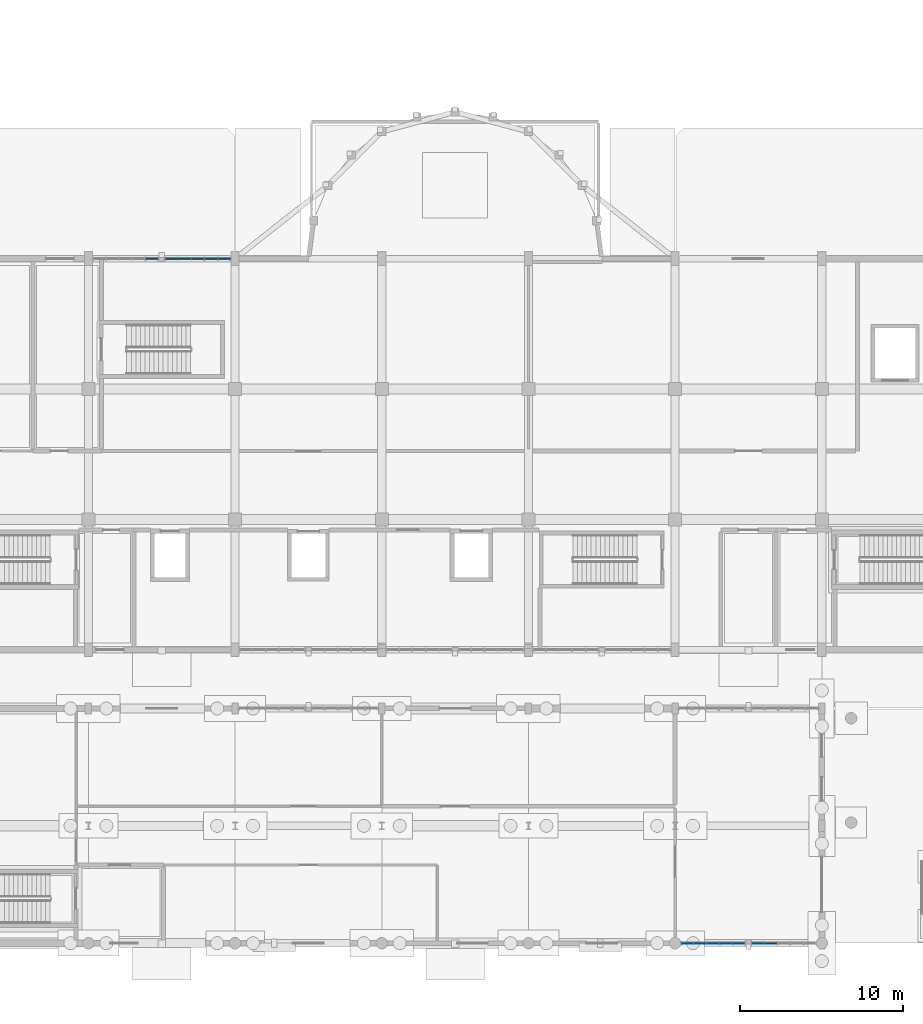
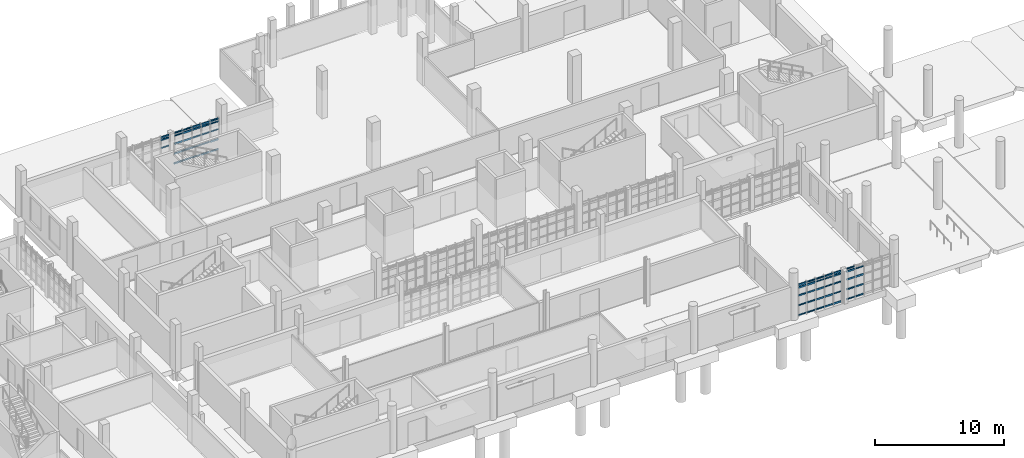
# One storey, part 26 of 63: 62 members, 4 elements without a shape of their own.
"""IFC4 building model written with IfcOpenShell, lengths in metres."""

from ifc_helpers import new_model, si_unit, direction, frame, origin, origin_2d, place, context, subcontext, project, spatial, rectangle, extrude, material, material_profile, profile_set, type_object, element, aggregate, save


model = new_model("IFC4")

# Units and contexts
model_context = context("Model", 3, precision=1e-05, world=origin(), true_north=direction((0.0, 1.0)))
body_context = subcontext(model_context, "Body", "Model", "MODEL_VIEW")
ifc_project = project(units=[si_unit("LENGTHUNIT", "METRE"), si_unit("AREAUNIT", "SQUARE_METRE"), si_unit("VOLUMEUNIT", "CUBIC_METRE"), si_unit("PLANEANGLEUNIT", "RADIAN"), si_unit("MASSUNIT", "GRAM", prefix="KILO")], contexts=[model_context])

# Site, building, storey
site_placement = place(None, origin())
site = spatial("IfcSite", under=ifc_project, at=site_placement, CompositionType="ELEMENT")
building_placement = place(site_placement, origin())
building = spatial("IfcBuilding", under=site, at=building_placement, Name="Serraforn Aerial Cableway Station", CompositionType="ELEMENT")
storey_placement = place(building_placement, origin())
storey = spatial("IfcBuildingStorey", under=building, at=storey_placement, Name="L00", CompositionType="ELEMENT", Elevation=0.0)

# Curtain wall, members
ifc_material_1 = material(Name="Anodised bronze unitised curtain wall")
curtain_wall_type_1 = type_object("IfcCurtainWallType", Name="CW-SYS-21", PredefinedType="USERDEFINED", material=ifc_material_1)
curtain_wall_1_placement = place(storey_placement, origin())
curtain_wall_1 = element("IfcCurtainWall", 1, at=curtain_wall_1_placement, inside=storey, type_object=curtain_wall_type_1, Name="Unitised Curtain Wall CW-CF-L00-S6A", ObjectType="UNITISED CURTAIN WALL", PredefinedType="USERDEFINED")
ifc_material_2 = material(Name="Anodised bronze extruded aluminium", Category="aluminium")
ifc_material_profile_1 = material_profile(ifc_material_2, rectangle(XDim=0.054931640625, YDim=0.110107421875, at=origin_2d()), Name="CW TRANSOM 55x110")
ifc_profile_set_1 = profile_set([ifc_material_profile_1], Name="Anodised bronze extruded aluminium")
member_type_1 = type_object("IfcMemberType", Name="CW-TRN-1", PredefinedType="USERDEFINED", material=ifc_profile_set_1)
member_1_placement = place(storey_placement, frame((73.02099609375, 0.0, 0.124755859375), z_axis=(1.0, 0.0, 0.0), x_axis=(0.0, 1.0, 0.0)))
member_1 = element("IfcMember", 2, at=member_1_placement, type_object=member_type_1, Name="Curtain Wall Transom CW-CF-L00-S6A-T1-1", ObjectType="TRANSOM", PredefinedType="USERDEFINED", context=body_context, shape_type="SweptSolid", body=[
    extrude(rectangle(XDim=0.054931640625, YDim=0.110107421875, at=origin_2d()), origin(), (0.0, 0.0, 1.0), 0.69580078125),
])
member_2_placement = place(storey_placement, frame((73.767822265625, 0.0, 2.9951171875), z_axis=(1.0, 0.0, 0.0), x_axis=(0.0, 1.0, 0.0)))
member_2 = element("IfcMember", 3, at=member_2_placement, type_object=member_type_1, Name="Curtain Wall Transom CW-CF-L00-S6A-T2-5", ObjectType="TRANSOM", PredefinedType="USERDEFINED", context=body_context, shape_type="SweptSolid", body=[
    extrude(rectangle(XDim=0.054931640625, YDim=0.110107421875, at=origin_2d()), origin(), (0.0, 0.0, 1.0), 0.740966796875),
])
member_3_placement = place(storey_placement, frame((74.564697265625, 0.0, 2.74560546875), z_axis=(1.0, 0.0, 0.0), x_axis=(0.0, 1.0, 0.0)))
member_3 = element("IfcMember", 4, at=member_3_placement, type_object=member_type_1, Name="Curtain Wall Transom CW-CF-L00-S6A-T3-4", ObjectType="TRANSOM", PredefinedType="USERDEFINED", context=body_context, shape_type="SweptSolid", body=[
    extrude(rectangle(XDim=0.054931640625, YDim=0.110107421875, at=origin_2d()), origin(), (0.0, 0.0, 1.0), 0.736083984375),
])
member_4_placement = place(storey_placement, frame((75.36181640625, 0.0, 1.996826171875), z_axis=(1.0, 0.0, 0.0), x_axis=(0.0, 1.0, 0.0)))
member_4 = element("IfcMember", 5, at=member_4_placement, type_object=member_type_1, Name="Curtain Wall Transom CW-CF-L00-S6A-T4-3", ObjectType="TRANSOM", PredefinedType="USERDEFINED", context=body_context, shape_type="SweptSolid", body=[
    extrude(rectangle(XDim=0.054931640625, YDim=0.110107421875, at=origin_2d()), origin(), (0.0, 0.0, 1.0), 0.730712890625),
])
member_5_placement = place(storey_placement, frame((76.15869140625, 0.0, 1.060791015625), z_axis=(1.0, 0.0, 0.0), x_axis=(0.0, 1.0, 0.0)))
member_5 = element("IfcMember", 6, at=member_5_placement, type_object=member_type_1, Name="Curtain Wall Transom CW-CF-L00-S6A-T5-2", ObjectType="TRANSOM", PredefinedType="USERDEFINED", context=body_context, shape_type="SweptSolid", body=[
    extrude(rectangle(XDim=0.054931640625, YDim=0.110107421875, at=origin_2d()), origin(), (0.0, 0.0, 1.0), 0.688232421875),
])

curtain_wall_type_2 = type_object("IfcCurtainWallType", Name="CW-SYS-22", PredefinedType="USERDEFINED", material=ifc_material_1)
curtain_wall_2_placement = place(storey_placement, origin())
curtain_wall_2 = element("IfcCurtainWall", 7, at=curtain_wall_2_placement, inside=storey, type_object=curtain_wall_type_2, Name="Unitised Curtain Wall CW-CF-L00-S6B", ObjectType="UNITISED CURTAIN WALL", PredefinedType="USERDEFINED")
member_6_placement = place(storey_placement, frame((77.3330078125, 0.0, 2.9951171875), z_axis=(1.0, 0.0, 0.0), x_axis=(0.0, 1.0, 0.0)))
member_6 = element("IfcMember", 8, at=member_6_placement, type_object=member_type_1, Name="Curtain Wall Transom CW-CF-L00-S6B-T1-5", ObjectType="TRANSOM", PredefinedType="USERDEFINED", context=body_context, shape_type="SweptSolid", body=[
    extrude(rectangle(XDim=0.054931640625, YDim=0.110107421875, at=origin_2d()), origin(), (0.0, 0.0, 1.0), 0.71337890625),
])
member_7_placement = place(storey_placement, frame((78.102294921875, 0.0, 2.74560546875), z_axis=(1.0, 0.0, 0.0), x_axis=(0.0, 1.0, 0.0)))
member_7 = element("IfcMember", 9, at=member_7_placement, type_object=member_type_1, Name="Curtain Wall Transom CW-CF-L00-S6B-T2-4", ObjectType="TRANSOM", PredefinedType="USERDEFINED", context=body_context, shape_type="SweptSolid", body=[
    extrude(rectangle(XDim=0.054931640625, YDim=0.110107421875, at=origin_2d()), origin(), (0.0, 0.0, 1.0), 0.736083984375),
])

curtain_wall_type_3 = type_object("IfcCurtainWallType", Name="CW-SYS-1", PredefinedType="USERDEFINED", material=ifc_material_1)
curtain_wall_3_placement = place(storey_placement, origin())
curtain_wall_3 = element("IfcCurtainWall", 10, at=curtain_wall_3_placement, inside=storey, type_object=curtain_wall_type_3, Name="Unitised Curtain Wall CW-CV-L00-N2A", ObjectType="UNITISED CURTAIN WALL", PredefinedType="USERDEFINED")
member_8_placement = place(storey_placement, frame((45.2890625, 42.0, 1.996826171875), z_axis=(-1.0, 0.0, 0.0), x_axis=(0.0, -1.0, 0.0)))
member_8 = element("IfcMember", 11, at=member_8_placement, type_object=member_type_1, Name="Curtain Wall Transom CW-CV-L00-N2A-T1-3", ObjectType="TRANSOM", PredefinedType="USERDEFINED", context=body_context, shape_type="SweptSolid", body=[
    extrude(rectangle(XDim=0.054931640625, YDim=0.110107421875, at=origin_2d()), origin(), (0.0, 0.0, 1.0), 0.718505859375),
])
member_9_placement = place(storey_placement, frame((44.504638671875, 42.0, 1.060791015625), z_axis=(-1.0, 0.0, 0.0), x_axis=(0.0, -1.0, 0.0)))
member_9 = element("IfcMember", 12, at=member_9_placement, type_object=member_type_1, Name="Curtain Wall Transom CW-CV-L00-N2A-T2-2", ObjectType="TRANSOM", PredefinedType="USERDEFINED", context=body_context, shape_type="SweptSolid", body=[
    extrude(rectangle(XDim=0.054931640625, YDim=0.110107421875, at=origin_2d()), origin(), (0.0, 0.0, 1.0), 0.745849609375),
])
member_10_placement = place(storey_placement, frame((43.687744140625, 42.0, 0.124755859375), z_axis=(-1.0, 0.0, 0.0), x_axis=(0.0, -1.0, 0.0)))
member_10 = element("IfcMember", 13, at=member_10_placement, type_object=member_type_1, Name="Curtain Wall Transom CW-CV-L00-N2A-T3-1", ObjectType="TRANSOM", PredefinedType="USERDEFINED", context=body_context, shape_type="SweptSolid", body=[
    extrude(rectangle(XDim=0.054931640625, YDim=0.110107421875, at=origin_2d()), origin(), (0.0, 0.0, 1.0), 0.75341796875),
])
member_11_placement = place(storey_placement, frame((42.88330078125, 42.0, 2.9951171875), z_axis=(-1.0, 0.0, 0.0), x_axis=(0.0, -1.0, 0.0)))
member_11 = element("IfcMember", 14, at=member_11_placement, type_object=member_type_1, Name="Curtain Wall Transom CW-CV-L00-N2A-T4-5", ObjectType="TRANSOM", PredefinedType="USERDEFINED", context=body_context, shape_type="SweptSolid", body=[
    extrude(rectangle(XDim=0.054931640625, YDim=0.110107421875, at=origin_2d()), origin(), (0.0, 0.0, 1.0), 0.760986328125),
])
member_12_placement = place(storey_placement, frame((42.06640625, 42.0, 2.74560546875), z_axis=(-1.0, 0.0, 0.0), x_axis=(0.0, -1.0, 0.0)))
member_12 = element("IfcMember", 15, at=member_12_placement, type_object=member_type_1, Name="Curtain Wall Transom CW-CV-L00-N2A-T5-4", ObjectType="TRANSOM", PredefinedType="USERDEFINED", context=body_context, shape_type="SweptSolid", body=[
    extrude(rectangle(XDim=0.054931640625, YDim=0.110107421875, at=origin_2d()), origin(), (0.0, 0.0, 1.0), 0.723388671875),
])

# Member
ifc_material_profile_2 = material_profile(ifc_material_2, rectangle(XDim=0.06005859375, YDim=0.1201171875, at=origin_2d()), Name="CW TRANSOM 60x120")
ifc_profile_set_2 = profile_set([ifc_material_profile_2], Name="Anodised bronze extruded aluminium")
member_type_2 = type_object("IfcMemberType", Name="CW-TRN-2", PredefinedType="USERDEFINED", material=ifc_profile_set_2)
member_13_placement = place(storey_placement, frame((73.02099609375, 0.0, 1.060791015625), z_axis=(1.0, 0.0, 0.0), x_axis=(0.0, 1.0, 0.0)))
member_13 = element("IfcMember", 16, at=member_13_placement, type_object=member_type_2, Name="Curtain Wall Transom CW-CF-L00-S6A-T1-2", ObjectType="TRANSOM", PredefinedType="USERDEFINED", context=body_context, shape_type="SweptSolid", body=[
    extrude(rectangle(XDim=0.06005859375, YDim=0.1201171875, at=origin_2d()), origin(), (0.0, 0.0, 1.0), 0.69580078125),
])

member_14_placement = place(storey_placement, frame((73.767822265625, 0.0, 0.124755859375), z_axis=(1.0, 0.0, 0.0), x_axis=(0.0, 1.0, 0.0)))
member_14 = element("IfcMember", 17, at=member_14_placement, type_object=member_type_2, Name="Curtain Wall Transom CW-CF-L00-S6A-T2-1", ObjectType="TRANSOM", PredefinedType="USERDEFINED", context=body_context, shape_type="SweptSolid", body=[
    extrude(rectangle(XDim=0.06005859375, YDim=0.1201171875, at=origin_2d()), origin(), (0.0, 0.0, 1.0), 0.740966796875),
])

member_15_placement = place(storey_placement, frame((74.564697265625, 0.0, 2.9951171875), z_axis=(1.0, 0.0, 0.0), x_axis=(0.0, 1.0, 0.0)))
member_15 = element("IfcMember", 18, at=member_15_placement, type_object=member_type_2, Name="Curtain Wall Transom CW-CF-L00-S6A-T3-5", ObjectType="TRANSOM", PredefinedType="USERDEFINED", context=body_context, shape_type="SweptSolid", body=[
    extrude(rectangle(XDim=0.06005859375, YDim=0.1201171875, at=origin_2d()), origin(), (0.0, 0.0, 1.0), 0.736083984375),
])

member_16_placement = place(storey_placement, frame((75.36181640625, 0.0, 2.74560546875), z_axis=(1.0, 0.0, 0.0), x_axis=(0.0, 1.0, 0.0)))
member_16 = element("IfcMember", 19, at=member_16_placement, type_object=member_type_2, Name="Curtain Wall Transom CW-CF-L00-S6A-T4-4", ObjectType="TRANSOM", PredefinedType="USERDEFINED", context=body_context, shape_type="SweptSolid", body=[
    extrude(rectangle(XDim=0.06005859375, YDim=0.1201171875, at=origin_2d()), origin(), (0.0, 0.0, 1.0), 0.730712890625),
])

member_17_placement = place(storey_placement, frame((76.15869140625, 0.0, 1.996826171875), z_axis=(1.0, 0.0, 0.0), x_axis=(0.0, 1.0, 0.0)))
member_17 = element("IfcMember", 20, at=member_17_placement, type_object=member_type_2, Name="Curtain Wall Transom CW-CF-L00-S6A-T5-3", ObjectType="TRANSOM", PredefinedType="USERDEFINED", context=body_context, shape_type="SweptSolid", body=[
    extrude(rectangle(XDim=0.06005859375, YDim=0.1201171875, at=origin_2d()), origin(), (0.0, 0.0, 1.0), 0.688232421875),
])

member_18_placement = place(storey_placement, frame((77.3330078125, 0.0, 0.124755859375), z_axis=(1.0, 0.0, 0.0), x_axis=(0.0, 1.0, 0.0)))
member_18 = element("IfcMember", 21, at=member_18_placement, type_object=member_type_2, Name="Curtain Wall Transom CW-CF-L00-S6B-T1-1", ObjectType="TRANSOM", PredefinedType="USERDEFINED", context=body_context, shape_type="SweptSolid", body=[
    extrude(rectangle(XDim=0.06005859375, YDim=0.1201171875, at=origin_2d()), origin(), (0.0, 0.0, 1.0), 0.71337890625),
])

member_19_placement = place(storey_placement, frame((45.2890625, 42.0, 2.74560546875), z_axis=(-1.0, 0.0, 0.0), x_axis=(0.0, -1.0, 0.0)))
member_19 = element("IfcMember", 22, at=member_19_placement, type_object=member_type_2, Name="Curtain Wall Transom CW-CV-L00-N2A-T1-4", ObjectType="TRANSOM", PredefinedType="USERDEFINED", context=body_context, shape_type="SweptSolid", body=[
    extrude(rectangle(XDim=0.06005859375, YDim=0.1201171875, at=origin_2d()), origin(), (0.0, 0.0, 1.0), 0.718505859375),
])

member_20_placement = place(storey_placement, frame((44.504638671875, 42.0, 1.996826171875), z_axis=(-1.0, 0.0, 0.0), x_axis=(0.0, -1.0, 0.0)))
member_20 = element("IfcMember", 23, at=member_20_placement, type_object=member_type_2, Name="Curtain Wall Transom CW-CV-L00-N2A-T2-3", ObjectType="TRANSOM", PredefinedType="USERDEFINED", context=body_context, shape_type="SweptSolid", body=[
    extrude(rectangle(XDim=0.06005859375, YDim=0.1201171875, at=origin_2d()), origin(), (0.0, 0.0, 1.0), 0.745849609375),
])

member_21_placement = place(storey_placement, frame((43.687744140625, 42.0, 1.060791015625), z_axis=(-1.0, 0.0, 0.0), x_axis=(0.0, -1.0, 0.0)))
member_21 = element("IfcMember", 24, at=member_21_placement, type_object=member_type_2, Name="Curtain Wall Transom CW-CV-L00-N2A-T3-2", ObjectType="TRANSOM", PredefinedType="USERDEFINED", context=body_context, shape_type="SweptSolid", body=[
    extrude(rectangle(XDim=0.06005859375, YDim=0.1201171875, at=origin_2d()), origin(), (0.0, 0.0, 1.0), 0.75341796875),
])

member_22_placement = place(storey_placement, frame((42.88330078125, 42.0, 0.124755859375), z_axis=(-1.0, 0.0, 0.0), x_axis=(0.0, -1.0, 0.0)))
member_22 = element("IfcMember", 25, at=member_22_placement, type_object=member_type_2, Name="Curtain Wall Transom CW-CV-L00-N2A-T4-1", ObjectType="TRANSOM", PredefinedType="USERDEFINED", context=body_context, shape_type="SweptSolid", body=[
    extrude(rectangle(XDim=0.06005859375, YDim=0.1201171875, at=origin_2d()), origin(), (0.0, 0.0, 1.0), 0.760986328125),
])

member_23_placement = place(storey_placement, frame((42.06640625, 42.0, 2.9951171875), z_axis=(-1.0, 0.0, 0.0), x_axis=(0.0, -1.0, 0.0)))
member_23 = element("IfcMember", 26, at=member_23_placement, type_object=member_type_2, Name="Curtain Wall Transom CW-CV-L00-N2A-T5-5", ObjectType="TRANSOM", PredefinedType="USERDEFINED", context=body_context, shape_type="SweptSolid", body=[
    extrude(rectangle(XDim=0.06005859375, YDim=0.1201171875, at=origin_2d()), origin(), (0.0, 0.0, 1.0), 0.723388671875),
])

# Curtain wall, member
curtain_wall_type_4 = type_object("IfcCurtainWallType", Name="CW-SYS-2", PredefinedType="USERDEFINED", material=ifc_material_1)
curtain_wall_4_placement = place(storey_placement, origin())
curtain_wall_4 = element("IfcCurtainWall", 27, at=curtain_wall_4_placement, inside=storey, type_object=curtain_wall_type_4, Name="Unitised Curtain Wall CW-CV-L00-N2B", ObjectType="UNITISED CURTAIN WALL", PredefinedType="USERDEFINED")
member_24_placement = place(storey_placement, frame((40.85205078125, 42.0, 1.996826171875), z_axis=(-1.0, 0.0, 0.0), x_axis=(0.0, -1.0, 0.0)))
member_24 = element("IfcMember", 28, at=member_24_placement, type_object=member_type_2, Name="Curtain Wall Transom CW-CV-L00-N2B-T1-3", ObjectType="TRANSOM", PredefinedType="USERDEFINED", context=body_context, shape_type="SweptSolid", body=[
    extrude(rectangle(XDim=0.06005859375, YDim=0.1201171875, at=origin_2d()), origin(), (0.0, 0.0, 1.0), 0.7109375),
])

# Member
ifc_material_profile_3 = material_profile(ifc_material_2, rectangle(XDim=0.06494140625, YDim=0.135009765625, at=origin_2d()), Name="CW TRANSOM 65x135")
ifc_profile_set_3 = profile_set([ifc_material_profile_3], Name="Anodised bronze extruded aluminium")
member_type_3 = type_object("IfcMemberType", Name="CW-TRN-3", PredefinedType="USERDEFINED", material=ifc_profile_set_3)
member_25_placement = place(storey_placement, frame((73.02099609375, 0.0, 1.996826171875), z_axis=(1.0, 0.0, 0.0), x_axis=(0.0, 1.0, 0.0)))
member_25 = element("IfcMember", 29, at=member_25_placement, type_object=member_type_3, Name="Curtain Wall Transom CW-CF-L00-S6A-T1-3", ObjectType="TRANSOM", PredefinedType="USERDEFINED", context=body_context, shape_type="SweptSolid", body=[
    extrude(rectangle(XDim=0.06494140625, YDim=0.135009765625, at=origin_2d()), origin(), (0.0, 0.0, 1.0), 0.69580078125),
])

member_26_placement = place(storey_placement, frame((73.767822265625, 0.0, 1.060791015625), z_axis=(1.0, 0.0, 0.0), x_axis=(0.0, 1.0, 0.0)))
member_26 = element("IfcMember", 30, at=member_26_placement, type_object=member_type_3, Name="Curtain Wall Transom CW-CF-L00-S6A-T2-2", ObjectType="TRANSOM", PredefinedType="USERDEFINED", context=body_context, shape_type="SweptSolid", body=[
    extrude(rectangle(XDim=0.06494140625, YDim=0.135009765625, at=origin_2d()), origin(), (0.0, 0.0, 1.0), 0.740966796875),
])

member_27_placement = place(storey_placement, frame((74.564697265625, 0.0, 0.124755859375), z_axis=(1.0, 0.0, 0.0), x_axis=(0.0, 1.0, 0.0)))
member_27 = element("IfcMember", 31, at=member_27_placement, type_object=member_type_3, Name="Curtain Wall Transom CW-CF-L00-S6A-T3-1", ObjectType="TRANSOM", PredefinedType="USERDEFINED", context=body_context, shape_type="SweptSolid", body=[
    extrude(rectangle(XDim=0.06494140625, YDim=0.135009765625, at=origin_2d()), origin(), (0.0, 0.0, 1.0), 0.736083984375),
])

member_28_placement = place(storey_placement, frame((75.36181640625, 0.0, 2.9951171875), z_axis=(1.0, 0.0, 0.0), x_axis=(0.0, 1.0, 0.0)))
member_28 = element("IfcMember", 32, at=member_28_placement, type_object=member_type_3, Name="Curtain Wall Transom CW-CF-L00-S6A-T4-5", ObjectType="TRANSOM", PredefinedType="USERDEFINED", context=body_context, shape_type="SweptSolid", body=[
    extrude(rectangle(XDim=0.06494140625, YDim=0.135009765625, at=origin_2d()), origin(), (0.0, 0.0, 1.0), 0.730712890625),
])

member_29_placement = place(storey_placement, frame((76.15869140625, 0.0, 2.74560546875), z_axis=(1.0, 0.0, 0.0), x_axis=(0.0, 1.0, 0.0)))
member_29 = element("IfcMember", 33, at=member_29_placement, type_object=member_type_3, Name="Curtain Wall Transom CW-CF-L00-S6A-T5-4", ObjectType="TRANSOM", PredefinedType="USERDEFINED", context=body_context, shape_type="SweptSolid", body=[
    extrude(rectangle(XDim=0.06494140625, YDim=0.135009765625, at=origin_2d()), origin(), (0.0, 0.0, 1.0), 0.688232421875),
])

member_30_placement = place(storey_placement, frame((77.3330078125, 0.0, 1.060791015625), z_axis=(1.0, 0.0, 0.0), x_axis=(0.0, 1.0, 0.0)))
member_30 = element("IfcMember", 34, at=member_30_placement, type_object=member_type_3, Name="Curtain Wall Transom CW-CF-L00-S6B-T1-2", ObjectType="TRANSOM", PredefinedType="USERDEFINED", context=body_context, shape_type="SweptSolid", body=[
    extrude(rectangle(XDim=0.06494140625, YDim=0.135009765625, at=origin_2d()), origin(), (0.0, 0.0, 1.0), 0.71337890625),
])

member_31_placement = place(storey_placement, frame((78.102294921875, 0.0, 0.124755859375), z_axis=(1.0, 0.0, 0.0), x_axis=(0.0, 1.0, 0.0)))
member_31 = element("IfcMember", 35, at=member_31_placement, type_object=member_type_3, Name="Curtain Wall Transom CW-CF-L00-S6B-T2-1", ObjectType="TRANSOM", PredefinedType="USERDEFINED", context=body_context, shape_type="SweptSolid", body=[
    extrude(rectangle(XDim=0.06494140625, YDim=0.135009765625, at=origin_2d()), origin(), (0.0, 0.0, 1.0), 0.736083984375),
])

member_32_placement = place(storey_placement, frame((45.2890625, 42.0, 2.9951171875), z_axis=(-1.0, 0.0, 0.0), x_axis=(0.0, -1.0, 0.0)))
member_32 = element("IfcMember", 36, at=member_32_placement, type_object=member_type_3, Name="Curtain Wall Transom CW-CV-L00-N2A-T1-5", ObjectType="TRANSOM", PredefinedType="USERDEFINED", context=body_context, shape_type="SweptSolid", body=[
    extrude(rectangle(XDim=0.06494140625, YDim=0.135009765625, at=origin_2d()), origin(), (0.0, 0.0, 1.0), 0.718505859375),
])

member_33_placement = place(storey_placement, frame((44.504638671875, 42.0, 2.74560546875), z_axis=(-1.0, 0.0, 0.0), x_axis=(0.0, -1.0, 0.0)))
member_33 = element("IfcMember", 37, at=member_33_placement, type_object=member_type_3, Name="Curtain Wall Transom CW-CV-L00-N2A-T2-4", ObjectType="TRANSOM", PredefinedType="USERDEFINED", context=body_context, shape_type="SweptSolid", body=[
    extrude(rectangle(XDim=0.06494140625, YDim=0.135009765625, at=origin_2d()), origin(), (0.0, 0.0, 1.0), 0.745849609375),
])

member_34_placement = place(storey_placement, frame((43.687744140625, 42.0, 1.996826171875), z_axis=(-1.0, 0.0, 0.0), x_axis=(0.0, -1.0, 0.0)))
member_34 = element("IfcMember", 38, at=member_34_placement, type_object=member_type_3, Name="Curtain Wall Transom CW-CV-L00-N2A-T3-3", ObjectType="TRANSOM", PredefinedType="USERDEFINED", context=body_context, shape_type="SweptSolid", body=[
    extrude(rectangle(XDim=0.06494140625, YDim=0.135009765625, at=origin_2d()), origin(), (0.0, 0.0, 1.0), 0.75341796875),
])

member_35_placement = place(storey_placement, frame((42.88330078125, 42.0, 1.060791015625), z_axis=(-1.0, 0.0, 0.0), x_axis=(0.0, -1.0, 0.0)))
member_35 = element("IfcMember", 39, at=member_35_placement, type_object=member_type_3, Name="Curtain Wall Transom CW-CV-L00-N2A-T4-2", ObjectType="TRANSOM", PredefinedType="USERDEFINED", context=body_context, shape_type="SweptSolid", body=[
    extrude(rectangle(XDim=0.06494140625, YDim=0.135009765625, at=origin_2d()), origin(), (0.0, 0.0, 1.0), 0.760986328125),
])

member_36_placement = place(storey_placement, frame((42.06640625, 42.0, 0.124755859375), z_axis=(-1.0, 0.0, 0.0), x_axis=(0.0, -1.0, 0.0)))
member_36 = element("IfcMember", 40, at=member_36_placement, type_object=member_type_3, Name="Curtain Wall Transom CW-CV-L00-N2A-T5-1", ObjectType="TRANSOM", PredefinedType="USERDEFINED", context=body_context, shape_type="SweptSolid", body=[
    extrude(rectangle(XDim=0.06494140625, YDim=0.135009765625, at=origin_2d()), origin(), (0.0, 0.0, 1.0), 0.723388671875),
])

member_37_placement = place(storey_placement, frame((40.85205078125, 42.0, 2.74560546875), z_axis=(-1.0, 0.0, 0.0), x_axis=(0.0, -1.0, 0.0)))
member_37 = element("IfcMember", 41, at=member_37_placement, type_object=member_type_3, Name="Curtain Wall Transom CW-CV-L00-N2B-T1-4", ObjectType="TRANSOM", PredefinedType="USERDEFINED", context=body_context, shape_type="SweptSolid", body=[
    extrude(rectangle(XDim=0.06494140625, YDim=0.135009765625, at=origin_2d()), origin(), (0.0, 0.0, 1.0), 0.7109375),
])

ifc_material_profile_4 = material_profile(ifc_material_2, rectangle(XDim=0.070068359375, YDim=0.14990234375, at=origin_2d()), Name="CW TRANSOM 70x150")
ifc_profile_set_4 = profile_set([ifc_material_profile_4], Name="Anodised bronze extruded aluminium")
member_type_4 = type_object("IfcMemberType", Name="CW-TRN-4", PredefinedType="USERDEFINED", material=ifc_profile_set_4)
member_38_placement = place(storey_placement, frame((73.02099609375, 0.0, 2.74560546875), z_axis=(1.0, 0.0, 0.0), x_axis=(0.0, 1.0, 0.0)))
member_38 = element("IfcMember", 42, at=member_38_placement, type_object=member_type_4, Name="Curtain Wall Transom CW-CF-L00-S6A-T1-4", ObjectType="TRANSOM", PredefinedType="USERDEFINED", context=body_context, shape_type="SweptSolid", body=[
    extrude(rectangle(XDim=0.070068359375, YDim=0.14990234375, at=origin_2d()), origin(), (0.0, 0.0, 1.0), 0.69580078125),
])

member_39_placement = place(storey_placement, frame((73.767822265625, 0.0, 1.996826171875), z_axis=(1.0, 0.0, 0.0), x_axis=(0.0, 1.0, 0.0)))
member_39 = element("IfcMember", 43, at=member_39_placement, type_object=member_type_4, Name="Curtain Wall Transom CW-CF-L00-S6A-T2-3", ObjectType="TRANSOM", PredefinedType="USERDEFINED", context=body_context, shape_type="SweptSolid", body=[
    extrude(rectangle(XDim=0.070068359375, YDim=0.14990234375, at=origin_2d()), origin(), (0.0, 0.0, 1.0), 0.740966796875),
])

member_40_placement = place(storey_placement, frame((74.564697265625, 0.0, 1.060791015625), z_axis=(1.0, 0.0, 0.0), x_axis=(0.0, 1.0, 0.0)))
member_40 = element("IfcMember", 44, at=member_40_placement, type_object=member_type_4, Name="Curtain Wall Transom CW-CF-L00-S6A-T3-2", ObjectType="TRANSOM", PredefinedType="USERDEFINED", context=body_context, shape_type="SweptSolid", body=[
    extrude(rectangle(XDim=0.070068359375, YDim=0.14990234375, at=origin_2d()), origin(), (0.0, 0.0, 1.0), 0.736083984375),
])

member_41_placement = place(storey_placement, frame((75.36181640625, 0.0, 0.124755859375), z_axis=(1.0, 0.0, 0.0), x_axis=(0.0, 1.0, 0.0)))
member_41 = element("IfcMember", 45, at=member_41_placement, type_object=member_type_4, Name="Curtain Wall Transom CW-CF-L00-S6A-T4-1", ObjectType="TRANSOM", PredefinedType="USERDEFINED", context=body_context, shape_type="SweptSolid", body=[
    extrude(rectangle(XDim=0.070068359375, YDim=0.14990234375, at=origin_2d()), origin(), (0.0, 0.0, 1.0), 0.730712890625),
])

member_42_placement = place(storey_placement, frame((76.15869140625, 0.0, 2.9951171875), z_axis=(1.0, 0.0, 0.0), x_axis=(0.0, 1.0, 0.0)))
member_42 = element("IfcMember", 46, at=member_42_placement, type_object=member_type_4, Name="Curtain Wall Transom CW-CF-L00-S6A-T5-5", ObjectType="TRANSOM", PredefinedType="USERDEFINED", context=body_context, shape_type="SweptSolid", body=[
    extrude(rectangle(XDim=0.070068359375, YDim=0.14990234375, at=origin_2d()), origin(), (0.0, 0.0, 1.0), 0.688232421875),
])

member_43_placement = place(storey_placement, frame((77.3330078125, 0.0, 1.996826171875), z_axis=(1.0, 0.0, 0.0), x_axis=(0.0, 1.0, 0.0)))
member_43 = element("IfcMember", 47, at=member_43_placement, type_object=member_type_4, Name="Curtain Wall Transom CW-CF-L00-S6B-T1-3", ObjectType="TRANSOM", PredefinedType="USERDEFINED", context=body_context, shape_type="SweptSolid", body=[
    extrude(rectangle(XDim=0.070068359375, YDim=0.14990234375, at=origin_2d()), origin(), (0.0, 0.0, 1.0), 0.71337890625),
])

member_44_placement = place(storey_placement, frame((78.102294921875, 0.0, 1.060791015625), z_axis=(1.0, 0.0, 0.0), x_axis=(0.0, 1.0, 0.0)))
member_44 = element("IfcMember", 48, at=member_44_placement, type_object=member_type_4, Name="Curtain Wall Transom CW-CF-L00-S6B-T2-2", ObjectType="TRANSOM", PredefinedType="USERDEFINED", context=body_context, shape_type="SweptSolid", body=[
    extrude(rectangle(XDim=0.070068359375, YDim=0.14990234375, at=origin_2d()), origin(), (0.0, 0.0, 1.0), 0.736083984375),
])

member_45_placement = place(storey_placement, frame((45.2890625, 42.0, 0.124755859375), z_axis=(-1.0, 0.0, 0.0), x_axis=(0.0, -1.0, 0.0)))
member_45 = element("IfcMember", 49, at=member_45_placement, type_object=member_type_4, Name="Curtain Wall Transom CW-CV-L00-N2A-T1-1", ObjectType="TRANSOM", PredefinedType="USERDEFINED", context=body_context, shape_type="SweptSolid", body=[
    extrude(rectangle(XDim=0.070068359375, YDim=0.14990234375, at=origin_2d()), origin(), (0.0, 0.0, 1.0), 0.718505859375),
])

member_46_placement = place(storey_placement, frame((44.504638671875, 42.0, 2.9951171875), z_axis=(-1.0, 0.0, 0.0), x_axis=(0.0, -1.0, 0.0)))
member_46 = element("IfcMember", 50, at=member_46_placement, type_object=member_type_4, Name="Curtain Wall Transom CW-CV-L00-N2A-T2-5", ObjectType="TRANSOM", PredefinedType="USERDEFINED", context=body_context, shape_type="SweptSolid", body=[
    extrude(rectangle(XDim=0.070068359375, YDim=0.14990234375, at=origin_2d()), origin(), (0.0, 0.0, 1.0), 0.745849609375),
])

member_47_placement = place(storey_placement, frame((43.687744140625, 42.0, 2.74560546875), z_axis=(-1.0, 0.0, 0.0), x_axis=(0.0, -1.0, 0.0)))
member_47 = element("IfcMember", 51, at=member_47_placement, type_object=member_type_4, Name="Curtain Wall Transom CW-CV-L00-N2A-T3-4", ObjectType="TRANSOM", PredefinedType="USERDEFINED", context=body_context, shape_type="SweptSolid", body=[
    extrude(rectangle(XDim=0.070068359375, YDim=0.14990234375, at=origin_2d()), origin(), (0.0, 0.0, 1.0), 0.75341796875),
])

member_48_placement = place(storey_placement, frame((42.88330078125, 42.0, 1.996826171875), z_axis=(-1.0, 0.0, 0.0), x_axis=(0.0, -1.0, 0.0)))
member_48 = element("IfcMember", 52, at=member_48_placement, type_object=member_type_4, Name="Curtain Wall Transom CW-CV-L00-N2A-T4-3", ObjectType="TRANSOM", PredefinedType="USERDEFINED", context=body_context, shape_type="SweptSolid", body=[
    extrude(rectangle(XDim=0.070068359375, YDim=0.14990234375, at=origin_2d()), origin(), (0.0, 0.0, 1.0), 0.760986328125),
])

member_49_placement = place(storey_placement, frame((42.06640625, 42.0, 1.060791015625), z_axis=(-1.0, 0.0, 0.0), x_axis=(0.0, -1.0, 0.0)))
member_49 = element("IfcMember", 53, at=member_49_placement, type_object=member_type_4, Name="Curtain Wall Transom CW-CV-L00-N2A-T5-2", ObjectType="TRANSOM", PredefinedType="USERDEFINED", context=body_context, shape_type="SweptSolid", body=[
    extrude(rectangle(XDim=0.070068359375, YDim=0.14990234375, at=origin_2d()), origin(), (0.0, 0.0, 1.0), 0.723388671875),
])

member_50_placement = place(storey_placement, frame((40.85205078125, 42.0, 2.9951171875), z_axis=(-1.0, 0.0, 0.0), x_axis=(0.0, -1.0, 0.0)))
member_50 = element("IfcMember", 54, at=member_50_placement, type_object=member_type_4, Name="Curtain Wall Transom CW-CV-L00-N2B-T1-5", ObjectType="TRANSOM", PredefinedType="USERDEFINED", context=body_context, shape_type="SweptSolid", body=[
    extrude(rectangle(XDim=0.070068359375, YDim=0.14990234375, at=origin_2d()), origin(), (0.0, 0.0, 1.0), 0.7109375),
])

aggregate(curtain_wall_4, [member_24, member_37, member_50])

ifc_material_profile_5 = material_profile(ifc_material_2, rectangle(XDim=0.074951171875, YDim=0.1650390625, at=origin_2d()), Name="CW TRANSOM 75x165")
ifc_profile_set_5 = profile_set([ifc_material_profile_5], Name="Anodised bronze extruded aluminium")
member_type_5 = type_object("IfcMemberType", Name="CW-TRN-5", PredefinedType="USERDEFINED", material=ifc_profile_set_5)
member_51_placement = place(storey_placement, frame((73.02099609375, 0.0, 2.9951171875), z_axis=(1.0, 0.0, 0.0), x_axis=(0.0, 1.0, 0.0)))
member_51 = element("IfcMember", 55, at=member_51_placement, type_object=member_type_5, Name="Curtain Wall Transom CW-CF-L00-S6A-T1-5", ObjectType="TRANSOM", PredefinedType="USERDEFINED", context=body_context, shape_type="SweptSolid", body=[
    extrude(rectangle(XDim=0.074951171875, YDim=0.1650390625, at=origin_2d()), origin(), (0.0, 0.0, 1.0), 0.69580078125),
])

member_52_placement = place(storey_placement, frame((73.767822265625, 0.0, 2.74560546875), z_axis=(1.0, 0.0, 0.0), x_axis=(0.0, 1.0, 0.0)))
member_52 = element("IfcMember", 56, at=member_52_placement, type_object=member_type_5, Name="Curtain Wall Transom CW-CF-L00-S6A-T2-4", ObjectType="TRANSOM", PredefinedType="USERDEFINED", context=body_context, shape_type="SweptSolid", body=[
    extrude(rectangle(XDim=0.074951171875, YDim=0.1650390625, at=origin_2d()), origin(), (0.0, 0.0, 1.0), 0.740966796875),
])

member_53_placement = place(storey_placement, frame((74.564697265625, 0.0, 1.996826171875), z_axis=(1.0, 0.0, 0.0), x_axis=(0.0, 1.0, 0.0)))
member_53 = element("IfcMember", 57, at=member_53_placement, type_object=member_type_5, Name="Curtain Wall Transom CW-CF-L00-S6A-T3-3", ObjectType="TRANSOM", PredefinedType="USERDEFINED", context=body_context, shape_type="SweptSolid", body=[
    extrude(rectangle(XDim=0.074951171875, YDim=0.1650390625, at=origin_2d()), origin(), (0.0, 0.0, 1.0), 0.736083984375),
])

member_54_placement = place(storey_placement, frame((75.36181640625, 0.0, 1.060791015625), z_axis=(1.0, 0.0, 0.0), x_axis=(0.0, 1.0, 0.0)))
member_54 = element("IfcMember", 58, at=member_54_placement, type_object=member_type_5, Name="Curtain Wall Transom CW-CF-L00-S6A-T4-2", ObjectType="TRANSOM", PredefinedType="USERDEFINED", context=body_context, shape_type="SweptSolid", body=[
    extrude(rectangle(XDim=0.074951171875, YDim=0.1650390625, at=origin_2d()), origin(), (0.0, 0.0, 1.0), 0.730712890625),
])

member_55_placement = place(storey_placement, frame((76.15869140625, 0.0, 0.124755859375), z_axis=(1.0, 0.0, 0.0), x_axis=(0.0, 1.0, 0.0)))
member_55 = element("IfcMember", 59, at=member_55_placement, type_object=member_type_5, Name="Curtain Wall Transom CW-CF-L00-S6A-T5-1", ObjectType="TRANSOM", PredefinedType="USERDEFINED", context=body_context, shape_type="SweptSolid", body=[
    extrude(rectangle(XDim=0.074951171875, YDim=0.1650390625, at=origin_2d()), origin(), (0.0, 0.0, 1.0), 0.688232421875),
])

aggregate(curtain_wall_1, [member_1, member_13, member_25, member_38, member_51, member_14, member_26, member_39, member_52, member_2, member_27, member_40, member_53, member_3, member_15, member_41, member_54, member_4, member_16, member_28, member_55, member_5, member_17, member_29, member_42])

member_56_placement = place(storey_placement, frame((77.3330078125, 0.0, 2.74560546875), z_axis=(1.0, 0.0, 0.0), x_axis=(0.0, 1.0, 0.0)))
member_56 = element("IfcMember", 60, at=member_56_placement, type_object=member_type_5, Name="Curtain Wall Transom CW-CF-L00-S6B-T1-4", ObjectType="TRANSOM", PredefinedType="USERDEFINED", context=body_context, shape_type="SweptSolid", body=[
    extrude(rectangle(XDim=0.074951171875, YDim=0.1650390625, at=origin_2d()), origin(), (0.0, 0.0, 1.0), 0.71337890625),
])

member_57_placement = place(storey_placement, frame((78.102294921875, 0.0, 1.996826171875), z_axis=(1.0, 0.0, 0.0), x_axis=(0.0, 1.0, 0.0)))
member_57 = element("IfcMember", 61, at=member_57_placement, type_object=member_type_5, Name="Curtain Wall Transom CW-CF-L00-S6B-T2-3", ObjectType="TRANSOM", PredefinedType="USERDEFINED", context=body_context, shape_type="SweptSolid", body=[
    extrude(rectangle(XDim=0.074951171875, YDim=0.1650390625, at=origin_2d()), origin(), (0.0, 0.0, 1.0), 0.736083984375),
])

aggregate(curtain_wall_2, [member_18, member_30, member_43, member_56, member_6, member_31, member_44, member_57, member_7])

member_58_placement = place(storey_placement, frame((45.2890625, 42.0, 1.060791015625), z_axis=(-1.0, 0.0, 0.0), x_axis=(0.0, -1.0, 0.0)))
member_58 = element("IfcMember", 62, at=member_58_placement, type_object=member_type_5, Name="Curtain Wall Transom CW-CV-L00-N2A-T1-2", ObjectType="TRANSOM", PredefinedType="USERDEFINED", context=body_context, shape_type="SweptSolid", body=[
    extrude(rectangle(XDim=0.074951171875, YDim=0.1650390625, at=origin_2d()), origin(), (0.0, 0.0, 1.0), 0.718505859375),
])

member_59_placement = place(storey_placement, frame((44.504638671875, 42.0, 0.124755859375), z_axis=(-1.0, 0.0, 0.0), x_axis=(0.0, -1.0, 0.0)))
member_59 = element("IfcMember", 63, at=member_59_placement, type_object=member_type_5, Name="Curtain Wall Transom CW-CV-L00-N2A-T2-1", ObjectType="TRANSOM", PredefinedType="USERDEFINED", context=body_context, shape_type="SweptSolid", body=[
    extrude(rectangle(XDim=0.074951171875, YDim=0.1650390625, at=origin_2d()), origin(), (0.0, 0.0, 1.0), 0.745849609375),
])

member_60_placement = place(storey_placement, frame((43.687744140625, 42.0, 2.9951171875), z_axis=(-1.0, 0.0, 0.0), x_axis=(0.0, -1.0, 0.0)))
member_60 = element("IfcMember", 64, at=member_60_placement, type_object=member_type_5, Name="Curtain Wall Transom CW-CV-L00-N2A-T3-5", ObjectType="TRANSOM", PredefinedType="USERDEFINED", context=body_context, shape_type="SweptSolid", body=[
    extrude(rectangle(XDim=0.074951171875, YDim=0.1650390625, at=origin_2d()), origin(), (0.0, 0.0, 1.0), 0.75341796875),
])

member_61_placement = place(storey_placement, frame((42.88330078125, 42.0, 2.74560546875), z_axis=(-1.0, 0.0, 0.0), x_axis=(0.0, -1.0, 0.0)))
member_61 = element("IfcMember", 65, at=member_61_placement, type_object=member_type_5, Name="Curtain Wall Transom CW-CV-L00-N2A-T4-4", ObjectType="TRANSOM", PredefinedType="USERDEFINED", context=body_context, shape_type="SweptSolid", body=[
    extrude(rectangle(XDim=0.074951171875, YDim=0.1650390625, at=origin_2d()), origin(), (0.0, 0.0, 1.0), 0.760986328125),
])

member_62_placement = place(storey_placement, frame((42.06640625, 42.0, 1.996826171875), z_axis=(-1.0, 0.0, 0.0), x_axis=(0.0, -1.0, 0.0)))
member_62 = element("IfcMember", 66, at=member_62_placement, type_object=member_type_5, Name="Curtain Wall Transom CW-CV-L00-N2A-T5-3", ObjectType="TRANSOM", PredefinedType="USERDEFINED", context=body_context, shape_type="SweptSolid", body=[
    extrude(rectangle(XDim=0.074951171875, YDim=0.1650390625, at=origin_2d()), origin(), (0.0, 0.0, 1.0), 0.723388671875),
])

aggregate(curtain_wall_3, [member_45, member_58, member_8, member_19, member_32, member_59, member_9, member_20, member_33, member_46, member_10, member_21, member_34, member_47, member_60, member_22, member_35, member_48, member_61, member_11, member_36, member_49, member_62, member_12, member_23])

save(model, "model.ifc")
